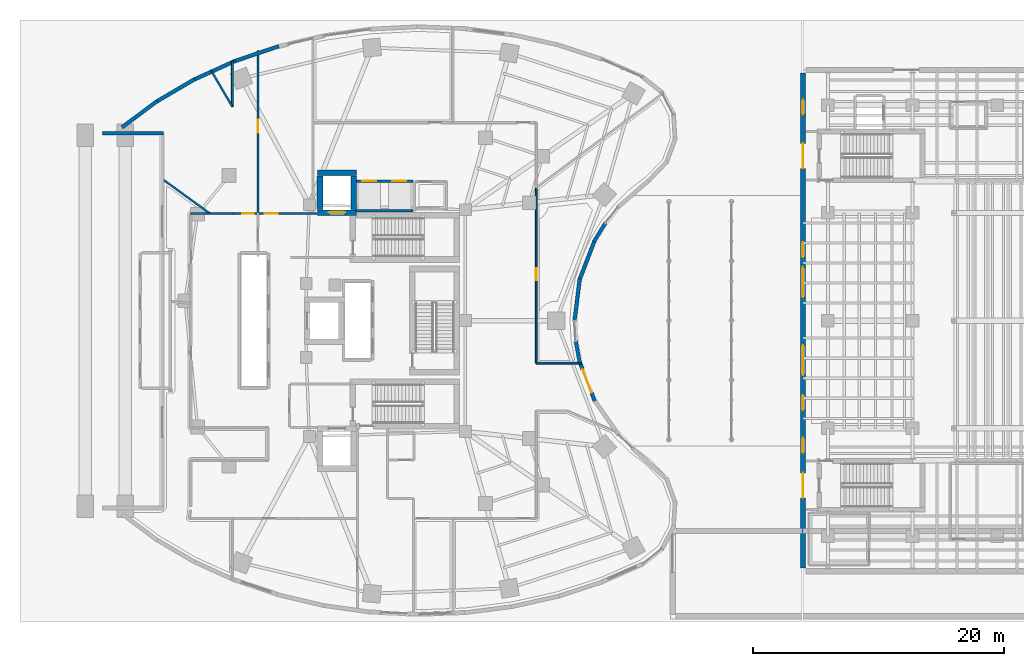
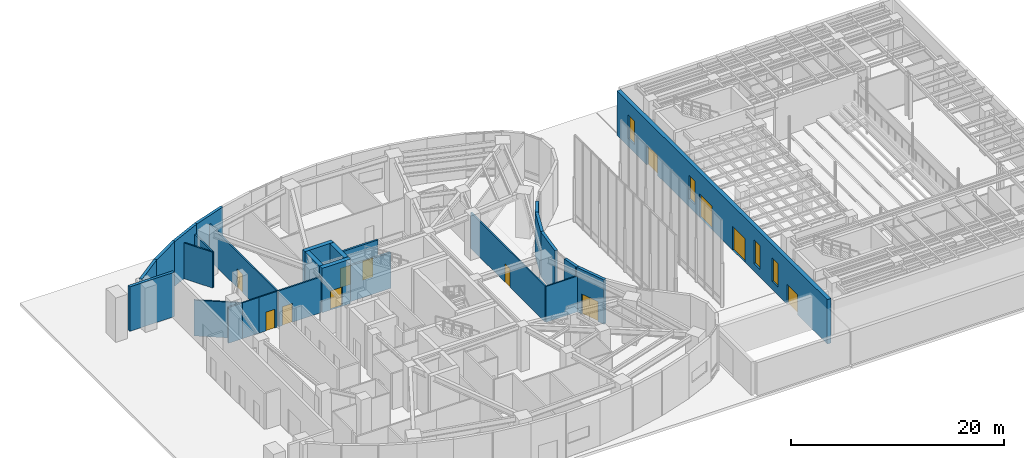
# One storey, part 20 of 28: 27 walls, 12 doors, 4 windows, 16 openings.
"""IFC4 building model written with IfcOpenShell, lengths in metres."""

from ifc_helpers import new_model, si_unit, direction, frame, frame_2d, origin, place, context, subcontext, project, spatial, rectangle, extrude, material, layer, layer_set, type_object, element, fill, save


model = new_model("IFC4")

# Units and contexts
model_context = context("Model", 3, precision=1e-05, world=origin(), true_north=direction((0.0, 1.0)))
body_context = subcontext(model_context, "Body", "Model", "MODEL_VIEW")
ifc_project = project(units=[si_unit("LENGTHUNIT", "METRE"), si_unit("AREAUNIT", "SQUARE_METRE"), si_unit("VOLUMEUNIT", "CUBIC_METRE"), si_unit("PLANEANGLEUNIT", "RADIAN"), si_unit("MASSUNIT", "GRAM", prefix="KILO")], contexts=[model_context])

# Site, building, storey
site_placement = place(None, origin())
site = spatial("IfcSite", under=ifc_project, at=site_placement, CompositionType="ELEMENT")
building_placement = place(site_placement, origin())
building = spatial("IfcBuilding", under=site, at=building_placement, Name="Korentha Bioscience Tower", CompositionType="ELEMENT")
storey_placement = place(building_placement, origin())
storey = spatial("IfcBuildingStorey", under=building, at=storey_placement, Name="L00", CompositionType="ELEMENT", Elevation=0.0)

# Wall, opening, door
ifc_material_1 = material(Name="Double-Stud Acoustic Gypsum", Category="gypsum")
ifc_layer_1 = layer(ifc_material_1, 0.14990234375, Name="Double-Stud Acoustic Gypsum")
ifc_layer_set_1 = layer_set([ifc_layer_1], Name="Double-Stud Acoustic Gypsum (IW-L150)")
wall_type_1 = type_object("IfcWallType", Name="Acoustic Laboratory Partition Wall 150", PredefinedType="PARTITIONING", material=ifc_layer_set_1)
wall_1_placement = place(storey_placement, frame((43.2099609375, 23.610107421875, 0.0), z_axis=(0.0, 0.0, 1.0), x_axis=(0.0, 1.0, 0.0)))
wall_1 = element("IfcWall", 1, at=wall_1_placement, inside=storey, type_object=wall_type_1, Name="L00 Tower Main Entrance Reception Concourse 05 Entrance Wall", PredefinedType="PARTITIONING", context=body_context, shape_type="SweptSolid", body=[
    extrude(rectangle(XDim=13.998779296875, YDim=0.14990234375, at=frame_2d((6.99951171875, 0.0))), origin(), (0.0, 0.0, 1.0), 4.110107421875),
])
opening_1_placement = place(wall_1_placement, frame((6.62158203125, 0.0, 0.0)))
opening_1 = element("IfcOpeningElement", 2, at=opening_1_placement, cuts=wall_1, Name="Opening ID-10L", PredefinedType="OPENING", context=body_context, shape_type="SweptSolid", body=[
    extrude(rectangle(XDim=0.949951171875, YDim=2.14990234375, at=frame_2d((0.47509765625, 1.074951171875))), frame((0.0, 0.08984375, 0.0), z_axis=(0.0, -1.0, 0.0), x_axis=(1.0, 0.0, 0.0)), (0.0, 0.0, 1.0), 0.1796875),
])
ifc_material_2 = material(Name="Phenolic Laminate Timber Core", Category="wood")
door_type_1 = type_object("IfcDoorType", Name="Laboratory Single Leaf Door 950x2150 Left", OperationType="SINGLE_SWING_LEFT", PredefinedType="DOOR", material=ifc_material_2)
door_1_placement = place(opening_1_placement, origin())
door_1 = element("IfcDoor", 3, at=door_1_placement, inside=storey, type_object=door_type_1, Name="L00 Tower Main Entrance Reception Concourse 05 Door", OperationType="SINGLE_SWING_LEFT", OverallHeight=2.14990234375, OverallWidth=0.949951171875, PredefinedType="DOOR", context=body_context, shape_type="SweptSolid", body=[
    extrude(rectangle(XDim=0.949951171875, YDim=2.14990234375, at=frame_2d((0.47509765625, 1.074951171875))), frame((0.0, 0.02490234375, 0.0), z_axis=(0.0, -1.0, 0.0), x_axis=(1.0, 0.0, 0.0)), (0.0, 0.0, 1.0), 0.050048828125),
])
fill(opening_1, door_1)

wall_2_placement = place(storey_placement, frame((20.916015625, 35.550048828125, 0.0), z_axis=(0.0, 0.0, 1.0), x_axis=(-1.0, 0.0, 0.0)))
wall_2 = element("IfcWall", 4, at=wall_2_placement, inside=storey, type_object=wall_type_1, Name="L00 Public Science Exhibition Gallery 08 Entrance Wall", PredefinedType="PARTITIONING", context=body_context, shape_type="SweptSolid", body=[
    extrude(rectangle(XDim=1.9638671875, YDim=0.14990234375, at=frame_2d((0.98193359375, 0.0))), origin(), (0.0, 0.0, 1.0), 4.110107421875),
])
opening_2_placement = place(wall_2_placement, frame((0.239990234375, 0.0, 0.0)))
opening_2 = element("IfcOpeningElement", 5, at=opening_2_placement, cuts=wall_2, Name="Opening ID-10R", PredefinedType="OPENING", context=body_context, shape_type="SweptSolid", body=[
    extrude(rectangle(XDim=0.949951171875, YDim=2.14990234375, at=frame_2d((0.47509765625, 1.074951171875))), frame((0.0, 0.08984375, 0.0), z_axis=(0.0, -1.0, 0.0), x_axis=(1.0, 0.0, 0.0)), (0.0, 0.0, 1.0), 0.1796875),
])
door_type_2 = type_object("IfcDoorType", Name="Laboratory Single Leaf Door 950x2150 Right", OperationType="SINGLE_SWING_RIGHT", PredefinedType="DOOR", material=ifc_material_2)
door_2_placement = place(opening_2_placement, origin())
door_2 = element("IfcDoor", 6, at=door_2_placement, inside=storey, type_object=door_type_2, Name="L00 Public Science Exhibition Gallery 08 Door", OperationType="SINGLE_SWING_RIGHT", OverallHeight=2.14990234375, OverallWidth=0.949951171875, PredefinedType="DOOR", context=body_context, shape_type="SweptSolid", body=[
    extrude(rectangle(XDim=0.949951171875, YDim=2.14990234375, at=frame_2d((0.47509765625, 1.074951171875))), frame((0.0, 0.02490234375, 0.0), z_axis=(0.0, -1.0, 0.0), x_axis=(1.0, 0.0, 0.0)), (0.0, 0.0, 1.0), 0.050048828125),
])
fill(opening_2, door_2)

# Walls
wall_3_placement = place(storey_placement, frame((46.82568359375, 23.610107421875, 0.0), z_axis=(0.0, 0.0, 1.0), x_axis=(-1.0, 0.0, 0.0)))
element("IfcWall", 7, at=wall_3_placement, inside=storey, type_object=wall_type_1, Name="L00 Interior Partition 041", PredefinedType="PARTITIONING", context=body_context, shape_type="SweptSolid", body=[
    extrude(rectangle(XDim=3.61572265625, YDim=0.14990234375, at=frame_2d((1.807861328125, 0.0))), origin(), (0.0, 0.0, 1.0), 4.110107421875),
])
wall_4_placement = place(storey_placement, frame((17.24560546875, 46.98583984375, 0.0), z_axis=(0.0, 0.0, 1.0), x_axis=(0.506044184909, -0.862507555282, 0.0)))
element("IfcWall", 8, at=wall_4_placement, inside=storey, type_object=wall_type_1, Name="L00 Interior Partition 045", PredefinedType="PARTITIONING", context=body_context, shape_type="SweptSolid", body=[
    extrude(rectangle(XDim=3.357421875, YDim=0.14990234375, at=frame_2d((1.6787109375, 0.0))), origin(), (0.0, 0.0, 1.0), 4.110107421875),
])
wall_5_placement = place(storey_placement, frame((18.951904296875, 44.09228515625, 0.0), z_axis=(0.0, 0.0, 1.0), x_axis=(0.0, 1.0, 0.0)))
element("IfcWall", 9, at=wall_5_placement, inside=storey, type_object=wall_type_1, Name="L00 Interior Partition 046", PredefinedType="PARTITIONING", context=body_context, shape_type="SweptSolid", body=[
    extrude(rectangle(XDim=3.642822265625, YDim=0.14990234375, at=frame_2d((1.8212890625, 0.0))), origin(), (0.0, 0.0, 1.0), 4.110107421875),
])
wall_6_placement = place(storey_placement, frame((18.947998046875, 35.550048828125, 0.0), z_axis=(0.0, 0.0, 1.0), x_axis=(-1.0, 0.0, 0.0)))
element("IfcWall", 10, at=wall_6_placement, inside=storey, type_object=wall_type_1, Name="L00 Interior Partition 047", PredefinedType="PARTITIONING", context=body_context, shape_type="SweptSolid", body=[
    extrude(rectangle(XDim=1.7822265625, YDim=0.14990234375, at=frame_2d((0.89111328125, 0.0))), origin(), (0.0, 0.0, 1.0), 4.110107421875),
])
wall_7_placement = place(storey_placement, frame((17.16552734375, 35.550048828125, 0.0), z_axis=(0.0, 0.0, 1.0), x_axis=(-0.81004170459, 0.586372268125, 0.0)))
element("IfcWall", 11, at=wall_7_placement, inside=storey, type_object=wall_type_1, Name="L00 Interior Partition 048", PredefinedType="PARTITIONING", context=body_context, shape_type="SweptSolid", body=[
    extrude(rectangle(XDim=4.537353515625, YDim=0.14990234375, at=frame_2d((2.2685546875, 0.0))), origin(), (0.0, 0.0, 1.0), 4.110107421875),
])
wall_8_placement = place(storey_placement, frame((17.148681640625, 35.550048828125, 0.0), z_axis=(0.0, 0.0, 1.0), x_axis=(-1.0, 0.0, 0.0)))
element("IfcWall", 12, at=wall_8_placement, inside=storey, type_object=wall_type_1, Name="L00 Interior Partition 051", PredefinedType="PARTITIONING", context=body_context, shape_type="SweptSolid", body=[
    extrude(rectangle(XDim=1.504638671875, YDim=0.14990234375, at=frame_2d((0.75244140625, 0.0))), origin(), (0.0, 0.0, 1.0), 4.110107421875),
])

# Wall, opening, door
ifc_material_3 = material(Name="Gypsum-Clad Steel Stud", Category="steel")
ifc_layer_2 = layer(ifc_material_3, 0.159912109375, Name="Gypsum-Clad Steel Stud")
ifc_layer_set_2 = layer_set([ifc_layer_2], Name="Gypsum-Clad Steel Stud (IW-C160)")
wall_type_2 = type_object("IfcWallType", Name="Fire-Rated Corridor Partition Wall 160", PredefinedType="PARTITIONING", material=ifc_layer_set_2)
wall_9_placement = place(storey_placement, frame((21.080078125, 35.550048828125, 0.0), z_axis=(0.0, 0.0, 1.0), x_axis=(1.0, 0.0, 0.0)))
wall_9 = element("IfcWall", 13, at=wall_9_placement, inside=storey, type_object=wall_type_2, Name="L00 Firefighting Lobby Return Wall FFLN-N", PredefinedType="PARTITIONING", context=body_context, shape_type="SweptSolid", body=[
    extrude(rectangle(XDim=4.619873046875, YDim=0.159912109375, at=frame_2d((2.31005859375, 0.0))), origin(), (0.0, 0.0, 1.0), 4.110107421875),
])
opening_3_placement = place(wall_9_placement, frame((0.449951171875, 0.0, 0.0)))
opening_3 = element("IfcOpeningElement", 14, at=opening_3_placement, cuts=wall_9, Name="Opening FD-90L", PredefinedType="OPENING", context=body_context, shape_type="SweptSolid", body=[
    extrude(rectangle(XDim=1.050048828125, YDim=2.14990234375, at=frame_2d((0.52490234375, 1.074951171875))), frame((0.0, 0.0947265625, 0.0), z_axis=(0.0, -1.0, 0.0), x_axis=(1.0, 0.0, 0.0)), (0.0, 0.0, 1.0), 0.189697265625),
])
ifc_material_4 = material(Name="Powder-Coated Fire-Rated Steel", Category="steel")
door_type_3 = type_object("IfcDoorType", Name="Stairwell Fire Exit Door 1050x2150 Left", OperationType="SINGLE_SWING_LEFT", PredefinedType="DOOR", material=ifc_material_4)
door_3_placement = place(opening_3_placement, origin())
door_3 = element("IfcDoor", 15, at=door_3_placement, inside=storey, type_object=door_type_3, Name="L00 ST-1 Firefighting Lobby to Exit Passageway Door", OperationType="SINGLE_SWING_LEFT", OverallHeight=2.14990234375, OverallWidth=1.050048828125, PredefinedType="DOOR", context=body_context, shape_type="SweptSolid", body=[
    extrude(rectangle(XDim=1.050048828125, YDim=2.14990234375, at=frame_2d((0.52490234375, 1.074951171875))), frame((0.0, 0.02490234375, 0.0), z_axis=(0.0, -1.0, 0.0), x_axis=(1.0, 0.0, 0.0)), (0.0, 0.0, 1.0), 0.050048828125),
])
fill(opening_3, door_3)

wall_10_placement = place(storey_placement, frame((21.0, 48.550048828125, 0.0), z_axis=(0.0, 0.0, 1.0), x_axis=(0.0, -1.0, 0.0)))
wall_10 = element("IfcWall", 16, at=wall_10_placement, inside=storey, type_object=wall_type_2, Name="L00 Protected Exit Passageway Rated Wall EXP1-W", PredefinedType="PARTITIONING", context=body_context, shape_type="SweptSolid", body=[
    extrude(rectangle(XDim=12.900146484375, YDim=0.159912109375, at=frame_2d((6.4501953125, 0.0))), origin(), (0.0, 0.0, 1.0), 4.110107421875),
])
opening_4_placement = place(wall_10_placement, frame((5.5, 0.0, 0.0)))
opening_4 = element("IfcOpeningElement", 17, at=opening_4_placement, cuts=wall_10, Name="Opening FD-90L", PredefinedType="OPENING", context=body_context, shape_type="SweptSolid", body=[
    extrude(rectangle(XDim=1.050048828125, YDim=2.14990234375, at=frame_2d((0.52490234375, 1.074951171875))), frame((0.0, 0.0947265625, 0.0), z_axis=(0.0, -1.0, 0.0), x_axis=(1.0, 0.0, 0.0)), (0.0, 0.0, 1.0), 0.189697265625),
])
door_4_placement = place(opening_4_placement, origin())
door_4 = element("IfcDoor", 18, at=door_4_placement, inside=storey, type_object=door_type_3, Name="L00 Exit Passageway Rated Access Door EXP1-W", OperationType="SINGLE_SWING_LEFT", OverallHeight=2.14990234375, OverallWidth=1.050048828125, PredefinedType="DOOR", context=body_context, shape_type="SweptSolid", body=[
    extrude(rectangle(XDim=1.050048828125, YDim=2.14990234375, at=frame_2d((0.52490234375, 1.074951171875))), frame((0.0, 0.02490234375, 0.0), z_axis=(0.0, -1.0, 0.0), x_axis=(1.0, 0.0, 0.0)), (0.0, 0.0, 1.0), 0.050048828125),
])
fill(opening_4, door_4)

# Walls
ifc_material_5 = material(Name="Honed Limestone Precast Concrete C40", Category="masonry")
ifc_layer_3 = layer(ifc_material_5, 0.300048828125, Name="Honed Limestone Precast Concrete C40")
ifc_layer_set_3 = layer_set([ifc_layer_3], Name="Honed Limestone Precast Concrete C40 (EW-ST300)")
wall_type_3 = type_object("IfcWallType", Name="Honed Limestone Cavity Spandrel Wall 300", PredefinedType="STANDARD", material=ifc_layer_set_3)
wall_11_placement = place(storey_placement, frame((22.6669921875, 48.9091796875, 0.0), z_axis=(0.0, 0.0, 1.0), x_axis=(-0.94702579403, -0.321157508773, 0.0)))
element("IfcWall", 19, at=wall_11_placement, inside=storey, type_object=wall_type_3, Name="L00 Limestone Perimeter Closure Wall 09", PredefinedType="STANDARD", context=body_context, shape_type="SweptSolid", body=[
    extrude(rectangle(XDim=3.829833984375, YDim=0.300048828125, at=frame_2d((1.9150390625, 0.0))), origin(), (0.0, 0.0, 1.0), 5.10009765625),
])
wall_12_placement = place(storey_placement, frame((19.201416015625, 47.7431640625, 0.0), z_axis=(0.0, 0.0, 1.0), x_axis=(-0.910623406862, -0.413237233166, 0.0)))
element("IfcWall", 20, at=wall_12_placement, inside=storey, type_object=wall_type_3, Name="L00 Limestone Perimeter Closure Wall 10", PredefinedType="STANDARD", context=body_context, shape_type="SweptSolid", body=[
    extrude(rectangle(XDim=3.73974609375, YDim=0.300048828125, at=frame_2d((1.869873046875, 0.0))), origin(), (0.0, 0.0, 1.0), 5.10009765625),
])
wall_13_placement = place(storey_placement, frame((15.95068359375, 46.27783203125, 0.0), z_axis=(0.0, 0.0, 1.0), x_axis=(-0.8624654944, -0.506115867139, 0.0)))
element("IfcWall", 21, at=wall_13_placement, inside=storey, type_object=wall_type_3, Name="L00 Limestone Perimeter Closure Wall 11", PredefinedType="STANDARD", context=body_context, shape_type="SweptSolid", body=[
    extrude(rectangle(XDim=3.63525390625, YDim=0.300048828125, at=frame_2d((1.817626953125, 0.0))), origin(), (0.0, 0.0, 1.0), 5.10009765625),
])
wall_14_placement = place(storey_placement, frame((12.96142578125, 44.53515625, 0.0), z_axis=(0.0, 0.0, 1.0), x_axis=(-0.800823020995, -0.598901067827, 0.0)))
element("IfcWall", 22, at=wall_14_placement, inside=storey, type_object=wall_type_3, Name="L00 Limestone Perimeter Closure Wall 12", PredefinedType="STANDARD", context=body_context, shape_type="SweptSolid", body=[
    extrude(rectangle(XDim=3.520751953125, YDim=0.300048828125, at=frame_2d((1.76025390625, 0.0))), origin(), (0.0, 0.0, 1.0), 5.10009765625),
])

# Wall, opening, door
wall_15_placement = place(storey_placement, frame((46.65478515625, 23.779296875, 0.0), z_axis=(0.0, 0.0, 1.0), x_axis=(0.358344570513, -0.933589400531, 0.0)))
wall_15 = element("IfcWall", 23, at=wall_15_placement, inside=storey, type_object=wall_type_3, Name="L00 Limestone Perimeter Closure Wall 46", PredefinedType="STANDARD", context=body_context, shape_type="SweptSolid", body=[
    extrude(rectangle(XDim=3.4296875, YDim=0.300048828125, at=frame_2d((1.71484375, 0.0))), origin(), (0.0, 0.0, 1.0), 5.10009765625),
])
opening_5_placement = place(wall_15_placement, frame((0.71484375, 0.0, 0.0)))
opening_5 = element("IfcOpeningElement", 24, at=opening_5_placement, cuts=wall_15, Name="Opening ED-20F", PredefinedType="OPENING", context=body_context, shape_type="SweptSolid", body=[
    extrude(rectangle(XDim=2.0, YDim=2.300048828125, at=frame_2d((1.0, 1.14990234375))), frame((0.0, 0.1650390625, 0.0), z_axis=(0.0, -1.0, 0.0), x_axis=(1.0, 0.0, 0.0)), (0.0, 0.0, 1.0), 0.329833984375),
])
ifc_material_6 = material(Name="Powder-Coated Steel Leaf", Category="steel")
door_type_4 = type_object("IfcDoorType", Name="Fire Exit Discharge Double Door 2000x2300", OperationType="DOUBLE_DOOR_SINGLE_SWING", PredefinedType="DOOR", material=ifc_material_6)
door_5_placement = place(opening_5_placement, origin())
door_5 = element("IfcDoor", 25, at=door_5_placement, inside=storey, type_object=door_type_4, Name="L00 Tower East Arcade Main Lobby Entrance Door", OperationType="DOUBLE_DOOR_SINGLE_SWING", OverallHeight=2.300048828125, OverallWidth=2.0, PredefinedType="DOOR", context=body_context, shape_type="SweptSolid", body=[
    extrude(rectangle(XDim=2.0, YDim=2.300048828125, at=frame_2d((1.0, 1.14990234375))), frame((0.0, 0.02490234375, 0.0), z_axis=(0.0, -1.0, 0.0), x_axis=(1.0, 0.0, 0.0)), (0.0, 0.0, 1.0), 0.050048828125),
])
fill(opening_5, door_5)

# Walls
wall_16_placement = place(storey_placement, frame((46.691162109375, 23.650390625, 0.0), z_axis=(0.0, 0.0, 1.0), x_axis=(-0.182230271073, 0.983255881399, 0.0)))
element("IfcWall", 26, at=wall_16_placement, inside=storey, type_object=wall_type_3, Name="L00 Limestone Perimeter Closure Wall 48", PredefinedType="STANDARD", context=body_context, shape_type="SweptSolid", body=[
    extrude(rectangle(XDim=1.7978515625, YDim=0.300048828125, at=frame_2d((0.89892578125, 0.0))), origin(), (0.0, 0.0, 1.0), 5.10009765625),
])
for number, where, z_axis, x_axis, name in (
    (27, (46.26708984375, 26.937744140625, 0.0), (0.0, 0.0, 1.0), (0.121870386032, 0.992546023622, 0.0), "L00 Limestone Perimeter Closure Wall 50"),
    (28, (46.65478515625, 30.220703125, 0.0), (0.0, 0.0, 1.0), (0.358344570513, 0.933589400531, 0.0), "L00 Limestone Perimeter Closure Wall 52"),
):
    element("IfcWall", number, at=place(storey_placement, frame(where, z_axis=z_axis, x_axis=x_axis)), inside=storey, type_object=wall_type_3, Name=name, PredefinedType="STANDARD", context=body_context, shape_type="SweptSolid", body=[
        extrude(rectangle(XDim=3.4296875, YDim=0.300048828125, at=frame_2d((1.71484375, 0.0))), origin(), (0.0, 0.0, 1.0), 5.10009765625),
    ])
wall_17_placement = place(storey_placement, frame((47.82470703125, 33.302734375, 0.0), z_axis=(0.0, 0.0, 1.0), x_axis=(0.522520662875, 0.852626622191, 0.0)))
element("IfcWall", 29, at=wall_17_placement, inside=storey, type_object=wall_type_3, Name="L00 Limestone Perimeter Closure Wall 54", PredefinedType="STANDARD", context=body_context, shape_type="SweptSolid", body=[
    extrude(rectangle(XDim=1.7978515625, YDim=0.300048828125, at=frame_2d((0.89892578125, 0.0))), origin(), (0.0, 0.0, 1.0), 5.10009765625),
])
wall_18_placement = place(storey_placement, frame((8.60009765625, 41.949951171875, 0.0), z_axis=(0.0, 0.0, 1.0), x_axis=(1.0, 0.0, 0.0)))
element("IfcWall", 30, at=wall_18_placement, inside=storey, type_object=wall_type_3, Name="L00 Arch Plaza Recess North Cheek Wall", PredefinedType="STANDARD", context=body_context, shape_type="SweptSolid", body=[
    extrude(rectangle(XDim=4.849853515625, YDim=0.300048828125, at=frame_2d((2.4248046875, 0.0))), origin(), (0.0, 0.0, 1.0), 5.10009765625),
])
ifc_material_7 = material(Name="Autoclaved Aerated Concrete Block C25", Category="concrete")
ifc_layer_4 = layer(ifc_material_7, 0.199951171875, Name="Autoclaved Aerated Concrete Block C25")
ifc_layer_set_4 = layer_set([ifc_layer_4], Name="Autoclaved Aerated Concrete Block C25 (IW-S200)")
wall_type_4 = type_object("IfcWallType", Name="Lift and Riser Shaft Enclosure Wall 200", PredefinedType="PARTITIONING", material=ifc_layer_set_4)
wall_19_placement = place(storey_placement, frame((28.800048828125, 35.760009765625, 0.0), z_axis=(0.0, 0.0, 1.0), x_axis=(1.0, 0.0, 0.0)))
element("IfcWall", 31, at=wall_19_placement, inside=storey, type_object=wall_type_4, Name="L00 Lift Bank OBS Shaft Wall -Y", PredefinedType="PARTITIONING", context=body_context, shape_type="SweptSolid", body=[
    extrude(rectangle(XDim=4.570068359375, YDim=0.199951171875, at=frame_2d((2.28515625, 0.0))), origin(), (0.0, 0.0, 1.0), 4.110107421875),
])

# Wall, openings, doors
wall_20_placement = place(storey_placement, frame((28.800048828125, 38.139892578125, 0.0), z_axis=(0.0, 0.0, 1.0), x_axis=(1.0, 0.0, 0.0)))
wall_20 = element("IfcWall", 32, at=wall_20_placement, inside=storey, type_object=wall_type_4, Name="L00 Lift Bank OBS Shaft Wall +Y", PredefinedType="PARTITIONING", context=body_context, shape_type="SweptSolid", body=[
    extrude(rectangle(XDim=4.570068359375, YDim=0.199951171875, at=frame_2d((2.28515625, 0.0))), origin(), (0.0, 0.0, 1.0), 4.110107421875),
])
opening_6_placement = place(wall_20_placement, frame((0.52001953125, 0.0, 0.0)))
opening_6 = element("IfcOpeningElement", 33, at=opening_6_placement, cuts=wall_20, Name="Opening LD-11", PredefinedType="OPENING", context=body_context, shape_type="SweptSolid", body=[
    extrude(rectangle(XDim=1.10009765625, YDim=2.199951171875, at=frame_2d((0.550048828125, 1.10009765625))), frame((0.0, 0.11474609375, 0.0), z_axis=(0.0, -1.0, 0.0), x_axis=(1.0, 0.0, 0.0)), (0.0, 0.0, 1.0), 0.229736328125),
])
opening_7_placement = place(wall_20_placement, frame((2.919921875, 0.0, 0.0)))
opening_7 = element("IfcOpeningElement", 34, at=opening_7_placement, cuts=wall_20, Name="Opening LD-11", PredefinedType="OPENING", context=body_context, shape_type="SweptSolid", body=[
    extrude(rectangle(XDim=1.10009765625, YDim=2.199951171875, at=frame_2d((0.550048828125, 1.10009765625))), frame((0.0, 0.11474609375, 0.0), z_axis=(0.0, -1.0, 0.0), x_axis=(1.0, 0.0, 0.0)), (0.0, 0.0, 1.0), 0.229736328125),
])
ifc_material_8 = material(Name="Brushed Stainless Steel 304", Category="steel")
door_type_5 = type_object("IfcDoorType", Name="Passenger Lift Sliding Landing Door 1100x2200", OperationType="DOUBLE_DOOR_SLIDING", PredefinedType="DOOR", material=ifc_material_8)
door_6_placement = place(opening_6_placement, origin())
door_6 = element("IfcDoor", 35, at=door_6_placement, inside=storey, type_object=door_type_5, Name="L00 PL-X1 Sliding Lift Landing Door", OperationType="DOUBLE_DOOR_SLIDING", OverallHeight=2.199951171875, OverallWidth=1.10009765625, PredefinedType="DOOR", context=body_context, shape_type="SweptSolid", body=[
    extrude(rectangle(XDim=1.10009765625, YDim=2.199951171875, at=frame_2d((0.550048828125, 1.10009765625))), frame((0.0, 0.02490234375, 0.0), z_axis=(0.0, -1.0, 0.0), x_axis=(1.0, 0.0, 0.0)), (0.0, 0.0, 1.0), 0.050048828125),
])
fill(opening_6, door_6)
door_7_placement = place(opening_7_placement, origin())
door_7 = element("IfcDoor", 36, at=door_7_placement, inside=storey, type_object=door_type_5, Name="L00 PL-X2 Sliding Lift Landing Door", OperationType="DOUBLE_DOOR_SLIDING", OverallHeight=2.199951171875, OverallWidth=1.10009765625, PredefinedType="DOOR", context=body_context, shape_type="SweptSolid", body=[
    extrude(rectangle(XDim=1.10009765625, YDim=2.199951171875, at=frame_2d((0.550048828125, 1.10009765625))), frame((0.0, 0.02490234375, 0.0), z_axis=(0.0, -1.0, 0.0), x_axis=(1.0, 0.0, 0.0)), (0.0, 0.0, 1.0), 0.050048828125),
])
fill(opening_7, door_7)

# Wall
ifc_material_9 = material(Name="Concrete C80", Category="concrete")
ifc_layer_5 = layer(ifc_material_9, 0.449951171875, Name="Concrete C80")
ifc_layer_set_5 = layer_set([ifc_layer_5], Name="Concrete C80 (CW-C80)")
wall_type_5 = type_object("IfcWallType", Name="Lower Core Shear Wall 450", PredefinedType="SHEAR", material=ifc_layer_set_5)
wall_21_placement = place(storey_placement, frame((25.75, 38.800048828125, 0.0), z_axis=(0.0, 0.0, 1.0), x_axis=(1.0, 0.0, 0.0)))
element("IfcWall", 37, at=wall_21_placement, inside=storey, type_object=wall_type_5, Name="L00 Core Shear Wall FFL2-N", PredefinedType="SHEAR", context=body_context, shape_type="SweptSolid", body=[
    extrude(rectangle(XDim=3.10009765625, YDim=0.449951171875, at=frame_2d((1.550048828125, 0.0))), origin(), (0.0, 0.0, 1.0), 5.10009765625),
])

# Wall, opening, door
wall_22_placement = place(storey_placement, frame((25.75, 35.6201171875, 0.0), z_axis=(0.0, 0.0, 1.0), x_axis=(1.0, 0.0, 0.0)))
wall_22 = element("IfcWall", 38, at=wall_22_placement, inside=storey, type_object=wall_type_5, Name="L00 Core Shear Wall FFL2-S", PredefinedType="SHEAR", context=body_context, shape_type="SweptSolid", body=[
    extrude(rectangle(XDim=3.10009765625, YDim=0.449951171875, at=frame_2d((1.550048828125, 0.0))), origin(), (0.0, 0.0, 1.0), 5.10009765625),
])
opening_8_placement = place(wall_22_placement, frame((0.89990234375, 0.0, 0.0)))
opening_8 = element("IfcOpeningElement", 39, at=opening_8_placement, cuts=wall_22, Name="Opening LD-13", PredefinedType="OPENING", context=body_context, shape_type="SweptSolid", body=[
    extrude(rectangle(XDim=1.300048828125, YDim=2.199951171875, at=frame_2d((0.64990234375, 1.10009765625))), frame((0.0, 0.23974609375, 0.0), z_axis=(0.0, -1.0, 0.0), x_axis=(1.0, 0.0, 0.0)), (0.0, 0.0, 1.0), 0.479736328125),
])
ifc_material_10 = material(Name="Brushed Stainless Steel 316", Category="steel")
door_type_6 = type_object("IfcDoorType", Name="Service & Firefighting Lift Landing Door 1300x2300", OperationType="DOUBLE_DOOR_SLIDING", PredefinedType="DOOR", material=ifc_material_10)
door_8_placement = place(opening_8_placement, origin())
door_8 = element("IfcDoor", 40, at=door_8_placement, inside=storey, type_object=door_type_6, Name="L00 FFL-2 Sliding Lift Landing Door", OperationType="DOUBLE_DOOR_SLIDING", OverallHeight=2.199951171875, OverallWidth=1.300048828125, PredefinedType="DOOR", context=body_context, shape_type="SweptSolid", body=[
    extrude(rectangle(XDim=1.300048828125, YDim=2.199951171875, at=frame_2d((0.64990234375, 1.10009765625))), frame((0.0, 0.02490234375, 0.0), z_axis=(0.0, -1.0, 0.0), x_axis=(1.0, 0.0, 0.0)), (0.0, 0.0, 1.0), 0.050048828125),
])
fill(opening_8, door_8)

# Walls
for number, where, z_axis, x_axis, name in (
    (41, (25.949951171875, 35.860107421875, 0.0), (0.0, 0.0, 1.0), (0.0, 1.0, 0.0), "L00 Core Shear Wall FFL2-W"),
    (42, (28.64990234375, 35.860107421875, 0.0), (0.0, 0.0, 1.0), (0.0, 1.0, 0.0), "L00 Core Shear Wall FFL2-E"),
):
    element("IfcWall", number, at=place(storey_placement, frame(where, z_axis=z_axis, x_axis=x_axis)), inside=storey, type_object=wall_type_5, Name=name, PredefinedType="SHEAR", context=body_context, shape_type="SweptSolid", body=[
        extrude(rectangle(XDim=2.699951171875, YDim=0.449951171875, at=frame_2d((1.35009765625, 0.0))), origin(), (0.0, 0.0, 1.0), 5.10009765625),
    ])

# Wall, openings, doors, windows
ifc_material_11 = material(Name="Concrete C50", Category="concrete")
ifc_layer_6 = layer(ifc_material_11, 0.419921875, Name="Concrete C50")
ifc_layer_set_6 = layer_set([ifc_layer_6], Name="Concrete C50 (TW-E420)")
wall_type_6 = type_object("IfcWallType", Name="Theatre Acoustic Shear Wall 420", PredefinedType="SHEAR", material=ifc_layer_set_6)
wall_23_placement = place(storey_placement, frame((64.5, 7.25, 0.0), z_axis=(0.0, 0.0, 1.0), x_axis=(0.0, 1.0, 0.0)))
wall_23 = element("IfcWall", 43, at=wall_23_placement, inside=storey, type_object=wall_type_6, Name="L00 Theatre Acoustic Shear Wall W", PredefinedType="SHEAR", context=body_context, shape_type="SweptSolid", body=[
    extrude(rectangle(XDim=39.5, YDim=0.419921875, at=frame_2d((19.75, 0.0))), origin(), (0.0, 0.0, 1.0), 5.10009765625),
])
opening_9_placement = place(wall_23_placement, frame((9.199951171875, 0.0, 0.89990234375)))
opening_9 = element("IfcOpeningElement", 44, at=opening_9_placement, cuts=wall_23, Name="Opening WN-03", PredefinedType="OPENING", context=body_context, shape_type="SweptSolid", body=[
    extrude(rectangle(XDim=1.199951171875, YDim=2.699951171875, at=frame_2d((0.60009765625, 1.35009765625))), frame((0.0, 0.224853515625, 0.0), z_axis=(0.0, -1.0, 0.0), x_axis=(1.0, 0.0, 0.0)), (0.0, 0.0, 1.0), 0.44970703125),
])
opening_10_placement = place(wall_23_placement, frame((12.60009765625, 0.0, 0.89990234375)))
opening_10 = element("IfcOpeningElement", 45, at=opening_10_placement, cuts=wall_23, Name="Opening WN-03", PredefinedType="OPENING", context=body_context, shape_type="SweptSolid", body=[
    extrude(rectangle(XDim=1.199951171875, YDim=2.699951171875, at=frame_2d((0.60009765625, 1.35009765625))), frame((0.0, 0.224853515625, 0.0), z_axis=(0.0, -1.0, 0.0), x_axis=(1.0, 0.0, 0.0)), (0.0, 0.0, 1.0), 0.44970703125),
])
opening_11_placement = place(wall_23_placement, frame((24.800048828125, 0.0, 0.89990234375)))
opening_11 = element("IfcOpeningElement", 46, at=opening_11_placement, cuts=wall_23, Name="Opening WN-03", PredefinedType="OPENING", context=body_context, shape_type="SweptSolid", body=[
    extrude(rectangle(XDim=1.199951171875, YDim=2.699951171875, at=frame_2d((0.60009765625, 1.35009765625))), frame((0.0, 0.224853515625, 0.0), z_axis=(0.0, -1.0, 0.0), x_axis=(1.0, 0.0, 0.0)), (0.0, 0.0, 1.0), 0.44970703125),
])
opening_12_placement = place(wall_23_placement, frame((36.199951171875, 0.0, 0.89990234375)))
opening_12 = element("IfcOpeningElement", 47, at=opening_12_placement, cuts=wall_23, Name="Opening WN-03", PredefinedType="OPENING", context=body_context, shape_type="SweptSolid", body=[
    extrude(rectangle(XDim=1.199951171875, YDim=2.699951171875, at=frame_2d((0.60009765625, 1.35009765625))), frame((0.0, 0.224853515625, 0.0), z_axis=(0.0, -1.0, 0.0), x_axis=(1.0, 0.0, 0.0)), (0.0, 0.0, 1.0), 0.44970703125),
])
opening_13_placement = place(wall_23_placement, frame((15.39990234375, 0.0, 0.0)))
opening_13 = element("IfcOpeningElement", 48, at=opening_13_placement, cuts=wall_23, Name="Opening ED-24", PredefinedType="OPENING", context=body_context, shape_type="SweptSolid", body=[
    extrude(rectangle(XDim=2.39990234375, YDim=2.699951171875, at=frame_2d((1.199951171875, 1.35009765625))), frame((0.0, 0.224853515625, 0.0), z_axis=(0.0, -1.0, 0.0), x_axis=(1.0, 0.0, 0.0)), (0.0, 0.0, 1.0), 0.44970703125),
])
opening_14_placement = place(wall_23_placement, frame((21.60009765625, 0.0, 0.0)))
opening_14 = element("IfcOpeningElement", 49, at=opening_14_placement, cuts=wall_23, Name="Opening ED-24", PredefinedType="OPENING", context=body_context, shape_type="SweptSolid", body=[
    extrude(rectangle(XDim=2.39990234375, YDim=2.699951171875, at=frame_2d((1.199951171875, 1.35009765625))), frame((0.0, 0.224853515625, 0.0), z_axis=(0.0, -1.0, 0.0), x_axis=(1.0, 0.0, 0.0)), (0.0, 0.0, 1.0), 0.44970703125),
])
opening_15_placement = place(wall_23_placement, frame((5.60009765625, 0.0, 0.0)))
opening_15 = element("IfcOpeningElement", 50, at=opening_15_placement, cuts=wall_23, Name="Opening ED-20F", PredefinedType="OPENING", context=body_context, shape_type="SweptSolid", body=[
    extrude(rectangle(XDim=2.0, YDim=2.300048828125, at=frame_2d((1.0, 1.14990234375))), frame((0.0, 0.224853515625, 0.0), z_axis=(0.0, -1.0, 0.0), x_axis=(1.0, 0.0, 0.0)), (0.0, 0.0, 1.0), 0.44970703125),
])
opening_16_placement = place(wall_23_placement, frame((31.89990234375, 0.0, 0.0)))
opening_16 = element("IfcOpeningElement", 51, at=opening_16_placement, cuts=wall_23, Name="Opening ED-20F", PredefinedType="OPENING", context=body_context, shape_type="SweptSolid", body=[
    extrude(rectangle(XDim=2.0, YDim=2.300048828125, at=frame_2d((1.0, 1.14990234375))), frame((0.0, 0.224853515625, 0.0), z_axis=(0.0, -1.0, 0.0), x_axis=(1.0, 0.0, 0.0)), (0.0, 0.0, 1.0), 0.44970703125),
])
door_9_placement = place(opening_15_placement, origin())
door_9 = element("IfcDoor", 52, at=door_9_placement, inside=storey, type_object=door_type_4, Name="Civic Theatre ST-T1 Vestibule Exit Discharge Door", OperationType="DOUBLE_DOOR_SINGLE_SWING", OverallHeight=2.300048828125, OverallWidth=2.0, PredefinedType="DOOR", context=body_context, shape_type="SweptSolid", body=[
    extrude(rectangle(XDim=2.0, YDim=2.300048828125, at=frame_2d((1.0, 1.14990234375))), frame((0.0, 0.02490234375, 0.0), z_axis=(0.0, -1.0, 0.0), x_axis=(1.0, 0.0, 0.0)), (0.0, 0.0, 1.0), 0.050048828125),
])
fill(opening_15, door_9)
door_10_placement = place(opening_16_placement, origin())
door_10 = element("IfcDoor", 53, at=door_10_placement, inside=storey, type_object=door_type_4, Name="Civic Theatre ST-T2 Vestibule Exit Discharge Door", OperationType="DOUBLE_DOOR_SINGLE_SWING", OverallHeight=2.300048828125, OverallWidth=2.0, PredefinedType="DOOR", context=body_context, shape_type="SweptSolid", body=[
    extrude(rectangle(XDim=2.0, YDim=2.300048828125, at=frame_2d((1.0, 1.14990234375))), frame((0.0, 0.02490234375, 0.0), z_axis=(0.0, -1.0, 0.0), x_axis=(1.0, 0.0, 0.0)), (0.0, 0.0, 1.0), 0.050048828125),
])
fill(opening_16, door_10)
ifc_material_12 = material(Name="Thermally Broken Glazed Aluminium", Category="aluminium")
door_type_7 = type_object("IfcDoorType", Name="Glazed Double Entrance Door 2400x2700", OperationType="DOUBLE_DOOR_SINGLE_SWING", PredefinedType="DOOR", material=ifc_material_12)
door_11_placement = place(opening_13_placement, origin())
door_11 = element("IfcDoor", 54, at=door_11_placement, inside=storey, type_object=door_type_7, Name="Civic Theatre Foyer Entrance Door 1", OperationType="DOUBLE_DOOR_SINGLE_SWING", OverallHeight=2.699951171875, OverallWidth=2.39990234375, PredefinedType="DOOR", context=body_context, shape_type="SweptSolid", body=[
    extrude(rectangle(XDim=2.39990234375, YDim=2.699951171875, at=frame_2d((1.199951171875, 1.35009765625))), frame((0.0, 0.02490234375, 0.0), z_axis=(0.0, -1.0, 0.0), x_axis=(1.0, 0.0, 0.0)), (0.0, 0.0, 1.0), 0.050048828125),
])
fill(opening_13, door_11)
door_12_placement = place(opening_14_placement, origin())
door_12 = element("IfcDoor", 55, at=door_12_placement, inside=storey, type_object=door_type_7, Name="Civic Theatre Foyer Entrance Door 2", OperationType="DOUBLE_DOOR_SINGLE_SWING", OverallHeight=2.699951171875, OverallWidth=2.39990234375, PredefinedType="DOOR", context=body_context, shape_type="SweptSolid", body=[
    extrude(rectangle(XDim=2.39990234375, YDim=2.699951171875, at=frame_2d((1.199951171875, 1.35009765625))), frame((0.0, 0.02490234375, 0.0), z_axis=(0.0, -1.0, 0.0), x_axis=(1.0, 0.0, 0.0)), (0.0, 0.0, 1.0), 0.050048828125),
])
fill(opening_14, door_12)
ifc_material_13 = material(Name="Thermally Broken Aluminium Triple Glazing", Category="aluminium")
window_type = type_object("IfcWindowType", Name="Theatre Foyer Tall Ribbon Window 1200x2700", PartitioningType="SINGLE_PANEL", PredefinedType="WINDOW", material=ifc_material_13)
window_1_placement = place(opening_9_placement, origin())
window_1 = element("IfcWindow", 56, at=window_1_placement, inside=storey, type_object=window_type, Name="L00 Theatre West Foyer Window 1", OverallHeight=2.699951171875, OverallWidth=1.199951171875, PartitioningType="SINGLE_PANEL", PredefinedType="WINDOW", context=body_context, shape_type="SweptSolid", body=[
    extrude(rectangle(XDim=1.199951171875, YDim=2.699951171875, at=frame_2d((0.60009765625, 1.35009765625))), frame((0.0, 0.030029296875, 0.0), z_axis=(0.0, -1.0, 0.0), x_axis=(1.0, 0.0, 0.0)), (0.0, 0.0, 1.0), 0.06005859375),
])
fill(opening_9, window_1)
window_2_placement = place(opening_10_placement, origin())
window_2 = element("IfcWindow", 57, at=window_2_placement, inside=storey, type_object=window_type, Name="L00 Theatre West Foyer Window 2", OverallHeight=2.699951171875, OverallWidth=1.199951171875, PartitioningType="SINGLE_PANEL", PredefinedType="WINDOW", context=body_context, shape_type="SweptSolid", body=[
    extrude(rectangle(XDim=1.199951171875, YDim=2.699951171875, at=frame_2d((0.60009765625, 1.35009765625))), frame((0.0, 0.030029296875, 0.0), z_axis=(0.0, -1.0, 0.0), x_axis=(1.0, 0.0, 0.0)), (0.0, 0.0, 1.0), 0.06005859375),
])
fill(opening_10, window_2)
window_3_placement = place(opening_11_placement, origin())
window_3 = element("IfcWindow", 58, at=window_3_placement, inside=storey, type_object=window_type, Name="L00 Theatre West Foyer Window 3", OverallHeight=2.699951171875, OverallWidth=1.199951171875, PartitioningType="SINGLE_PANEL", PredefinedType="WINDOW", context=body_context, shape_type="SweptSolid", body=[
    extrude(rectangle(XDim=1.199951171875, YDim=2.699951171875, at=frame_2d((0.60009765625, 1.35009765625))), frame((0.0, 0.030029296875, 0.0), z_axis=(0.0, -1.0, 0.0), x_axis=(1.0, 0.0, 0.0)), (0.0, 0.0, 1.0), 0.06005859375),
])
fill(opening_11, window_3)
window_4_placement = place(opening_12_placement, origin())
window_4 = element("IfcWindow", 59, at=window_4_placement, inside=storey, type_object=window_type, Name="L00 Theatre West Foyer Window 4", OverallHeight=2.699951171875, OverallWidth=1.199951171875, PartitioningType="SINGLE_PANEL", PredefinedType="WINDOW", context=body_context, shape_type="SweptSolid", body=[
    extrude(rectangle(XDim=1.199951171875, YDim=2.699951171875, at=frame_2d((0.60009765625, 1.35009765625))), frame((0.0, 0.030029296875, 0.0), z_axis=(0.0, -1.0, 0.0), x_axis=(1.0, 0.0, 0.0)), (0.0, 0.0, 1.0), 0.06005859375),
])
fill(opening_12, window_4)

save(model, "model.ifc")
